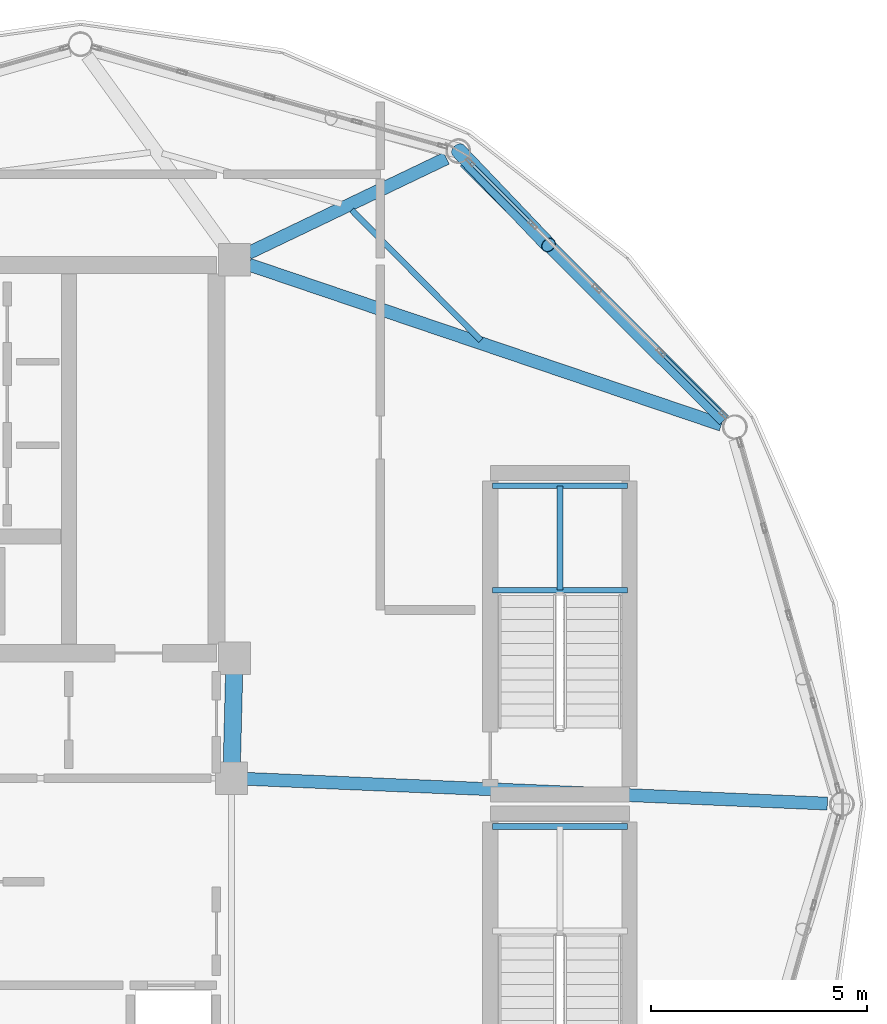
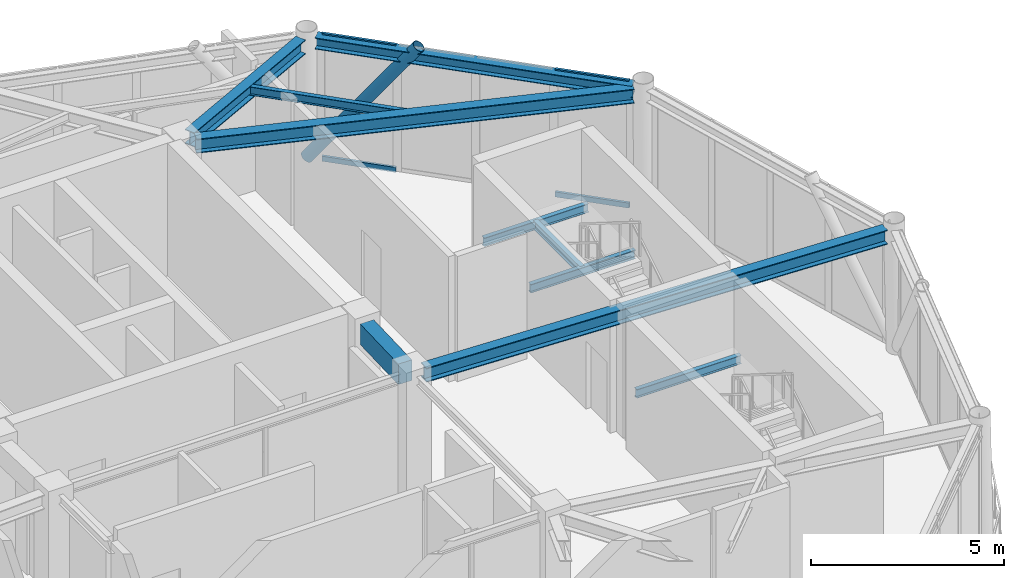
# One storey, part 11 of 21: 10 beams, 5 members, 1 element without a shape of its own.
"""IFC4 building model written with IfcOpenShell, lengths in metres."""

from ifc_helpers import new_model, si_unit, direction, frame, origin, origin_2d, place, context, subcontext, project, spatial, rectangle, hollow_rectangle, hollow_circle, i_section, extrude, material, layer, layer_set, material_profile, profile_set, type_object, element, aggregate, save


model = new_model("IFC4")

# Units and contexts
model_context = context("Model", 3, precision=1e-05, world=origin(), true_north=direction((0.0, 1.0)))
body_context = subcontext(model_context, "Body", "Model", "MODEL_VIEW")
ifc_project = project(units=[si_unit("LENGTHUNIT", "METRE"), si_unit("AREAUNIT", "SQUARE_METRE"), si_unit("VOLUMEUNIT", "CUBIC_METRE"), si_unit("PLANEANGLEUNIT", "RADIAN"), si_unit("MASSUNIT", "GRAM", prefix="KILO")], contexts=[model_context])

# Site, building, storey
site_placement = place(None, origin())
site = spatial("IfcSite", under=ifc_project, at=site_placement, CompositionType="ELEMENT")
building_placement = place(site_placement, origin())
building = spatial("IfcBuilding", under=site, at=building_placement, Name="Varnakorn Sky Granary", CompositionType="ELEMENT")
storey_placement = place(building_placement, frame((0.0, 0.0, 294.0)))
storey = spatial("IfcBuildingStorey", under=building, at=storey_placement, Name="L75", CompositionType="ELEMENT", Elevation=294.0)

# Beams
ifc_material_1 = material(Name="Concrete C50/60", Category="concrete")
ifc_material_profile_1 = material_profile(ifc_material_1, rectangle(XDim=0.39990234375, YDim=0.64990234375, at=origin_2d()), Name="RC 400x650")
ifc_profile_set_1 = profile_set([ifc_material_profile_1], Name="Concrete C50/60")
beam_type_1 = type_object("IfcBeamType", Name="BM-LIN-650", PredefinedType="LINTEL", material=ifc_profile_set_1)
beam_1_placement = place(storey_placement, frame((8.4111328125, 3.025146484375, 3.635009765625), z_axis=(-0.025227817192, -0.999681727971, 0.0), x_axis=(0.999681727971, -0.025227817192, 0.0)))
element("IfcBeam", 1, at=beam_1_placement, inside=storey, type_object=beam_type_1, Name="Core Spine Framing Beam 2 L75", PredefinedType="LINTEL", context=body_context, shape_type="SweptSolid", body=[
    extrude(rectangle(XDim=0.39990234375, YDim=0.64990234375, at=origin_2d()), origin(), (0.0, 0.0, 1.0), 2.071044921875),
])
ifc_material_2 = material(Name="Steel S355JR", Category="steel")
ifc_material_profile_2 = material_profile(ifc_material_2, i_section(OverallWidth=0.135009765625, OverallDepth=0.27001953125, WebThickness=0.006591796875, FlangeThickness=0.01025390625, at=origin_2d()), Name="IPE 270")
ifc_profile_set_2 = profile_set([ifc_material_profile_2], Name="Steel S355JR")
beam_type_2 = type_object("IfcBeamType", Name="BM-LND-270", PredefinedType="BEAM", material=ifc_profile_set_2)
for number, where, z_axis, x_axis, name in (
    (2, (14.39990234375, 4.9599609375, 1.764892578125), (1.0, 0.0, 0.0), (0.0, 1.0, 0.0), "Stair ST-C1 Landing Trimmer Beam A L75-1"),
    (3, (14.39990234375, 7.3798828125, 1.764892578125), (1.0, 0.0, 0.0), (0.0, 1.0, 0.0), "Stair ST-C1 Landing Trimmer Beam B L75-1"),
):
    element("IfcBeam", number, at=place(storey_placement, frame(where, z_axis=z_axis, x_axis=x_axis)), inside=storey, type_object=beam_type_2, Name=name, PredefinedType="BEAM", context=body_context, shape_type="SweptSolid", body=[
        extrude(i_section(OverallWidth=0.135009765625, OverallDepth=0.27001953125, WebThickness=0.006591796875, FlangeThickness=0.01025390625, at=origin_2d()), origin(), (0.0, 0.0, 1.0), 3.130126953125),
    ])
beam_2_placement = place(storey_placement, frame((15.965087890625, 4.9599609375, 1.764892578125), z_axis=(0.0, 1.0, 0.0), x_axis=(-1.0, 0.0, 0.0)))
element("IfcBeam", 4, at=beam_2_placement, inside=storey, type_object=beam_type_2, Name="Stair ST-C1 Landing Cross Beam C L75-1", PredefinedType="BEAM", context=body_context, shape_type="SweptSolid", body=[
    extrude(i_section(OverallWidth=0.135009765625, OverallDepth=0.27001953125, WebThickness=0.006591796875, FlangeThickness=0.01025390625, at=origin_2d()), origin(), (0.0, 0.0, 1.0), 2.419921875),
])
beam_3_placement = place(storey_placement, frame((14.39990234375, -0.52001953125, 1.764892578125), z_axis=(1.0, 0.0, 0.0), x_axis=(0.0, 1.0, 0.0)))
element("IfcBeam", 5, at=beam_3_placement, inside=storey, type_object=beam_type_2, Name="Stair ST-C2 Landing Trimmer Beam B L75-1", PredefinedType="BEAM", context=body_context, shape_type="SweptSolid", body=[
    extrude(i_section(OverallWidth=0.135009765625, OverallDepth=0.27001953125, WebThickness=0.006591796875, FlangeThickness=0.01025390625, at=origin_2d()), origin(), (0.0, 0.0, 1.0), 3.130126953125),
])
ifc_material_profile_3 = material_profile(ifc_material_2, i_section(OverallWidth=0.300048828125, OverallDepth=0.449951171875, WebThickness=0.013916015625, FlangeThickness=0.02587890625, at=origin_2d()), Name="HE 450 B")
ifc_profile_set_3 = profile_set([ifc_material_profile_3], Name="Steel S355JR")
beam_type_3 = type_object("IfcBeamType", Name="BM-RAD-Z5", PredefinedType="BEAM", material=ifc_profile_set_3)
beam_4_placement = place(storey_placement, frame((8.70458984375, 0.5849609375, 3.735107421875), z_axis=(0.999092824747, -0.042585532044, 0.0), x_axis=(0.042585532044, 0.999092824747, 0.0)))
element("IfcBeam", 6, at=beam_4_placement, inside=storey, type_object=beam_type_3, Name="Radial Floor Girder RG01 L75", PredefinedType="BEAM", context=body_context, shape_type="SweptSolid", body=[
    extrude(i_section(OverallWidth=0.300048828125, OverallDepth=0.449951171875, WebThickness=0.013916015625, FlangeThickness=0.02587890625, at=origin_2d()), origin(), (0.0, 0.0, 1.0), 13.472412109375),
])
beam_5_placement = place(storey_placement, frame((8.756103515625, 12.506103515625, 3.735107421875), z_axis=(0.947111247562, -0.320905414011, 0.0), x_axis=(0.320905414011, 0.947111247562, 0.0)))
element("IfcBeam", 7, at=beam_5_placement, inside=storey, type_object=beam_type_3, Name="Radial Floor Girder RG02 L75", PredefinedType="BEAM", context=body_context, shape_type="SweptSolid", body=[
    extrude(i_section(OverallWidth=0.300048828125, OverallDepth=0.449951171875, WebThickness=0.013916015625, FlangeThickness=0.02587890625, at=origin_2d()), origin(), (0.0, 0.0, 1.0), 11.561767578125),
])
beam_6_placement = place(storey_placement, frame((8.740234375, 12.7734375, 3.735107421875), z_axis=(0.901872840543, 0.432001596629, 0.0), x_axis=(-0.432001596629, 0.901872840543, 0.0)))
element("IfcBeam", 8, at=beam_6_placement, inside=storey, type_object=beam_type_3, Name="Radial Floor Girder RG03 L75", PredefinedType="BEAM", context=body_context, shape_type="SweptSolid", body=[
    extrude(i_section(OverallWidth=0.300048828125, OverallDepth=0.449951171875, WebThickness=0.013916015625, FlangeThickness=0.02587890625, at=origin_2d()), origin(), (0.0, 0.0, 1.0), 5.093017578125),
])
ifc_material_profile_4 = material_profile(ifc_material_2, i_section(OverallWidth=0.135009765625, OverallDepth=0.27001953125, WebThickness=0.006591796875, FlangeThickness=0.01025390625, at=origin_2d()), Name="IPE 270")
ifc_profile_set_4 = profile_set([ifc_material_profile_4], Name="Steel S355JR")
beam_type_4 = type_object("IfcBeamType", Name="BM-SEC-Z5", PredefinedType="BEAM", material=ifc_profile_set_4)
beam_7_placement = place(storey_placement, frame((14.1328125, 10.75048828125, 3.824951171875), z_axis=(-0.704003463843, 0.710196538218, 0.0), x_axis=(-0.710196538218, -0.704003463843, 0.0)))
element("IfcBeam", 9, at=beam_7_placement, inside=storey, type_object=beam_type_4, Name="Secondary Floor Chord Beam MSB02 L75", PredefinedType="BEAM", context=body_context, shape_type="SweptSolid", body=[
    extrude(i_section(OverallWidth=0.135009765625, OverallDepth=0.27001953125, WebThickness=0.006591796875, FlangeThickness=0.01025390625, at=origin_2d()), origin(), (0.0, 0.0, 1.0), 4.257568359375),
])
ifc_material_profile_5 = material_profile(ifc_material_2, i_section(OverallWidth=0.300048828125, OverallDepth=0.360107421875, WebThickness=0.012451171875, FlangeThickness=0.0224609375, at=origin_2d()), Name="HE 360 B")
ifc_profile_set_5 = profile_set([ifc_material_profile_5], Name="Steel S355JR")
beam_type_5 = type_object("IfcBeamType", Name="BM-SPD-Z5", PredefinedType="SPANDREL", material=ifc_profile_set_5)
beam_8_placement = place(storey_placement, frame((19.769775390625, 8.89794921875, 3.780029296875), z_axis=(-0.707566463655, 0.706646799689, 0.0), x_axis=(-0.706646799689, -0.707566463655, 0.0)))
element("IfcBeam", 10, at=beam_8_placement, inside=storey, type_object=beam_type_5, Name="Perimeter Spandrel Ring Beam RB02 L75", PredefinedType="SPANDREL", context=body_context, shape_type="SweptSolid", body=[
    extrude(i_section(OverallWidth=0.300048828125, OverallDepth=0.360107421875, WebThickness=0.012451171875, FlangeThickness=0.0224609375, at=origin_2d()), origin(), (0.0, 0.0, 1.0), 8.494873046875),
])

# Curtain wall, members
ifc_material_3 = material(Name="Anodised Bronze Aluminium Alloy 6063-T6", Category="aluminium")
ifc_layer = layer(ifc_material_3, 0.22998046875, Name="Anodised Bronze Aluminium Alloy 6063-T6")
ifc_layer_set = layer_set([ifc_layer], Name="Anodised Bronze Aluminium Alloy 6063-T6")
curtain_wall_type = type_object("IfcCurtainWallType", Name="CW-LNT-1", PredefinedType="USERDEFINED", material=ifc_layer_set)
curtain_wall_placement = place(storey_placement, origin())
curtain_wall = element("IfcCurtainWall", 11, at=curtain_wall_placement, inside=storey, type_object=curtain_wall_type, Name="Unitised Curtain Wall CW7 CW-L75-B02", ObjectType="CURTAIN WALL", PredefinedType="USERDEFINED")
ifc_material_profile_6 = material_profile(ifc_material_3, hollow_rectangle(XDim=0.074951171875, YDim=0.159912109375, WallThickness=0.00390625, at=origin_2d()), Name="ALU TRAN 75x160")
ifc_profile_set_6 = profile_set([ifc_material_profile_6], Name="Anodised Bronze Aluminium Alloy 6063-T6")
member_type_1 = type_object("IfcMemberType", Name="CW-LNT-1-TRAN", PredefinedType="USERDEFINED", material=ifc_profile_set_6)
member_1_placement = place(storey_placement, frame((13.907958984375, 14.857421875, 0.03759765625), z_axis=(0.707783349642, -0.706429564762, 0.0), x_axis=(0.706429564762, 0.707783349642, 0.0)))
member_1 = element("IfcMember", 12, at=member_1_placement, type_object=member_type_1, Name="CW7 transom 1.1", ObjectType="TRANSOM", PredefinedType="USERDEFINED", context=body_context, shape_type="SweptSolid", body=[
    extrude(hollow_rectangle(XDim=0.074951171875, YDim=0.159912109375, WallThickness=0.00390625, at=origin_2d()), origin(), (0.0, 0.0, 1.0), 1.983642578125),
])
member_2_placement = place(storey_placement, frame((13.907958984375, 14.857421875, 3.922607421875), z_axis=(0.707783349642, -0.706429564762, 0.0), x_axis=(0.706429564762, 0.707783349642, 0.0)))
member_2 = element("IfcMember", 13, at=member_2_placement, type_object=member_type_1, Name="CW7 transom 1.2", ObjectType="TRANSOM", PredefinedType="USERDEFINED", context=body_context, shape_type="SweptSolid", body=[
    extrude(hollow_rectangle(XDim=0.074951171875, YDim=0.159912109375, WallThickness=0.00390625, at=origin_2d()), origin(), (0.0, 0.0, 1.0), 1.983642578125),
])
member_3_placement = place(storey_placement, frame((18.3330078125, 10.441162109375, 0.03759765625), z_axis=(0.707844759482, -0.706368031889, 0.0), x_axis=(0.706368031889, 0.707844759482, 0.0)))
member_3 = element("IfcMember", 14, at=member_3_placement, type_object=member_type_1, Name="CW7 transom 4.1", ObjectType="TRANSOM", PredefinedType="USERDEFINED", context=body_context, shape_type="SweptSolid", body=[
    extrude(hollow_rectangle(XDim=0.074951171875, YDim=0.159912109375, WallThickness=0.00390625, at=origin_2d()), origin(), (0.0, 0.0, 1.0), 1.98388671875),
])
member_4_placement = place(storey_placement, frame((18.3330078125, 10.441162109375, 3.922607421875), z_axis=(0.707844759482, -0.706368031889, 0.0), x_axis=(0.706368031889, 0.707844759482, 0.0)))
member_4 = element("IfcMember", 15, at=member_4_placement, type_object=member_type_1, Name="CW7 transom 4.2", ObjectType="TRANSOM", PredefinedType="USERDEFINED", context=body_context, shape_type="SweptSolid", body=[
    extrude(hollow_rectangle(XDim=0.074951171875, YDim=0.159912109375, WallThickness=0.00390625, at=origin_2d()), origin(), (0.0, 0.0, 1.0), 1.98388671875),
])
aggregate(curtain_wall, [member_1, member_2, member_3, member_4])

# Member
ifc_material_4 = material(Name="Steel S460M", Category="steel")
ifc_material_profile_7 = material_profile(ifc_material_4, hollow_circle(Radius=0.177734375, WallThickness=0.01416015625, at=origin_2d()), Name="CHS 355.6x14")
ifc_profile_set_7 = profile_set([ifc_material_profile_7], Name="Steel S460M")
member_type_2 = type_object("IfcMemberType", Name="MB-DIAG-T5", PredefinedType="BRACE", material=ifc_profile_set_7)
member_5_placement = place(storey_placement, frame((13.614501953125, 15.150146484375, 0.0), z_axis=(0.410102930209, -0.430168835023, 0.804220342946), x_axis=(0.723786325921, 0.690024169439, 0.0)))
element("IfcMember", 16, at=member_5_placement, inside=storey, type_object=member_type_2, Name="Perimeter CHS Diagrid Brace DG02 L75", PredefinedType="BRACE", context=body_context, shape_type="SweptSolid", body=[
    extrude(hollow_circle(Radius=0.177734375, WallThickness=0.01416015625, at=origin_2d()), origin(), (0.0, 0.0, 1.0), 5.085693359375),
])

save(model, "model.ifc")
